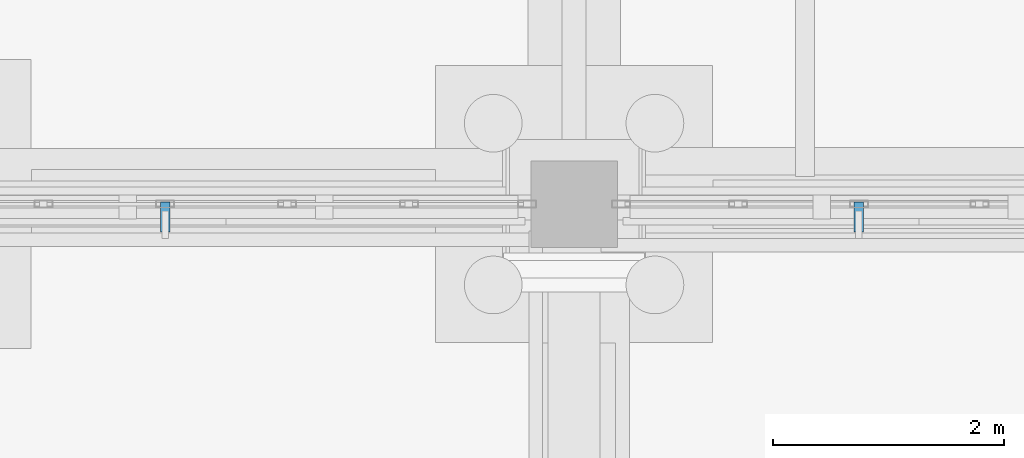
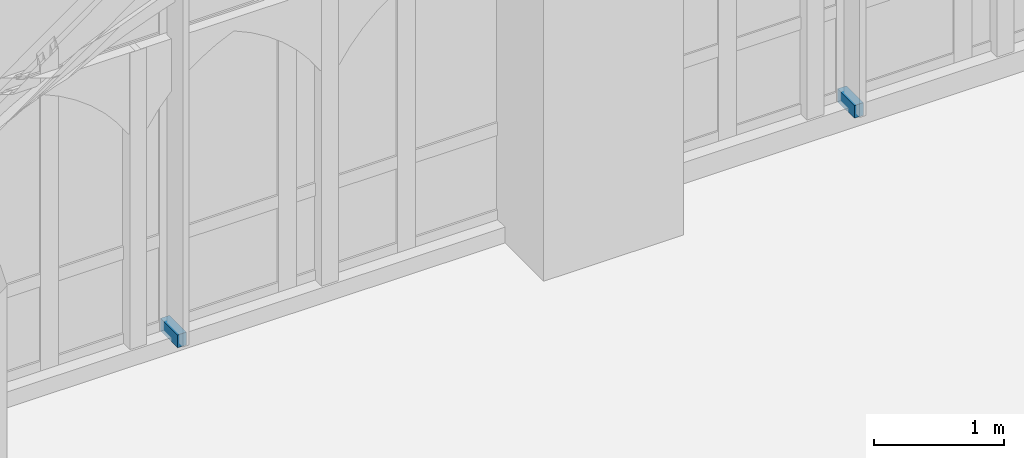
# One storey, part 72 of 135: 2 discrete accessories.
"""IFC4 building model written with IfcOpenShell, lengths in metres."""

from ifc_helpers import new_model, si_unit, direction, frame, origin, origin_2d, place, context, subcontext, project, spatial, rectangle, extrude, material, type_object, element, save


model = new_model("IFC4")

# Units and contexts
model_context = context("Model", 3, precision=1e-05, world=origin(), true_north=direction((0.0, 1.0)))
body_context = subcontext(model_context, "Body", "Model", "MODEL_VIEW")
ifc_project = project(units=[si_unit("LENGTHUNIT", "METRE"), si_unit("AREAUNIT", "SQUARE_METRE"), si_unit("VOLUMEUNIT", "CUBIC_METRE"), si_unit("PLANEANGLEUNIT", "RADIAN"), si_unit("MASSUNIT", "GRAM", prefix="KILO")], contexts=[model_context])

# Site, building, storey
site_placement = place(None, origin())
site = spatial("IfcSite", under=ifc_project, at=site_placement, CompositionType="ELEMENT")
building_placement = place(site_placement, origin())
building = spatial("IfcBuilding", under=site, at=building_placement, Name="Cumevento Cable Car Station", CompositionType="ELEMENT")
storey_placement = place(building_placement, origin())
storey = spatial("IfcBuildingStorey", under=building, at=storey_placement, Name="L01", CompositionType="ELEMENT", Elevation=0.0)

# Discrete accessories
ifc_material = material(Name="Steel ASTM A572 Grade 50", Category="steel")
discrete_accessory_type = type_object("IfcDiscreteAccessoryType", Name="Fin Support Bracket BK-01", PredefinedType="BRACKET", material=ifc_material)
for number, where, z_axis, x_axis, name in (
    (1, (24.4599609375, 56.389892578125, 0.119873046875), (0.0, 0.0, 1.0), (-1.0, 0.0, 0.0), "Solar Fin Bracket #11"),
    (2, (30.465087890625, 56.389892578125, 0.169921875), (0.0, 0.0, 1.0), (-1.0, 0.0, 0.0), "Solar Fin Bracket #12"),
):
    element("IfcDiscreteAccessory", number, at=place(storey_placement, frame(where, z_axis=z_axis, x_axis=x_axis)), inside=storey, type_object=discrete_accessory_type, Name=name, PredefinedType="BRACKET", context=body_context, shape_type="SweptSolid", body=[
        extrude(rectangle(XDim=0.080078125, YDim=0.260009765625, at=origin_2d()), origin(), (0.0, 0.0, 1.0), 0.1201171875),
    ])

save(model, "model.ifc")
